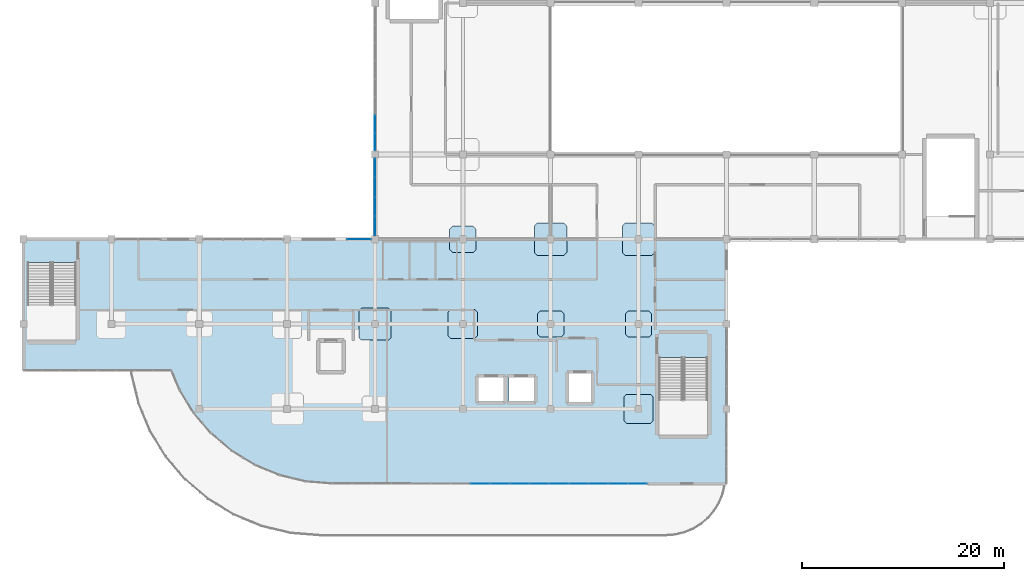
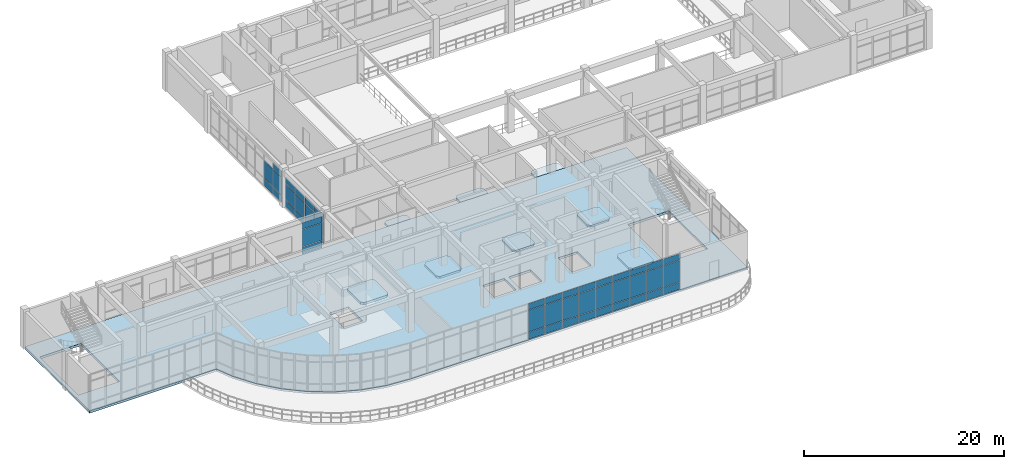
# One storey, part 48 of 64: 47 plates, 9 slabs, 6 elements without a shape of their own.
"""IFC4 building model written with IfcOpenShell, lengths in metres."""

from ifc_helpers import new_model, si_unit, derived_unit, direction, frame, origin, origin_2d, place, context, subcontext, project, spatial, polyline, rectangle, outline, extrude, material, layer, layer_set, type_object, element, aggregate, save


model = new_model("IFC4")

# Units and contexts
model_context = context("Model", 3, precision=1e-05, world=origin(), true_north=direction((0.0, 1.0)))
body_context = subcontext(model_context, "Body", "Model", "MODEL_VIEW")
ifc_project = project(units=[si_unit("LENGTHUNIT", "METRE"), si_unit("AREAUNIT", "SQUARE_METRE"), si_unit("VOLUMEUNIT", "CUBIC_METRE"), si_unit("PLANEANGLEUNIT", "RADIAN"), si_unit("MASSUNIT", "GRAM", prefix="KILO"), derived_unit("THERMALTRANSMITTANCEUNIT", [(si_unit("MASSUNIT", "GRAM", prefix="KILO"), 1), (si_unit("TIMEUNIT", "SECOND"), -3), (si_unit("THERMODYNAMICTEMPERATUREUNIT", "KELVIN"), -1)])], contexts=[model_context])

# Site, building, storey
site_placement = place(None, origin())
site = spatial("IfcSite", under=ifc_project, at=site_placement, CompositionType="ELEMENT")
building_placement = place(site_placement, origin())
building = spatial("IfcBuilding", under=site, at=building_placement, Name="Qinzheling Arcade Emporium", CompositionType="ELEMENT")
storey_placement = place(building_placement, frame((0.0, 0.0, 31.5)))
storey = spatial("IfcBuildingStorey", under=building, at=storey_placement, Name="L07", CompositionType="ELEMENT", Elevation=31.5)

# Slabs
ifc_material_1 = material(Name="Concrete C40", Category="concrete")
ifc_layer_1 = layer(ifc_material_1, 0.235107421875, Name="Concrete C40", Category="concrete")
ifc_layer_set_1 = layer_set([ifc_layer_1], Name="Concrete C40")
slab_type_1 = type_object("IfcSlabType", Name="Column Head Drop Panel 2600x2600x235 C40", PredefinedType="USERDEFINED", material=ifc_layer_set_1)
slab_1_placement = place(storey_placement, frame((0.0, 0.0, -0.514892578125)))
element("IfcSlab", 1, at=slab_1_placement, inside=storey, type_object=slab_type_1, Name="Column Drop Panel DP-L07-6-F", ObjectType="DROP_PANEL", PredefinedType="USERDEFINED", context=body_context, shape_type="SweptSolid", body=[
    extrude(outline(polyline([(42.47998046875, 40.699951171875), (44.52001953125, 40.699951171875), (44.800048828125, 40.97998046875), (44.800048828125, 43.02001953125), (44.52001953125, 43.300048828125), (42.47998046875, 43.300048828125), (42.199951171875, 43.02001953125), (42.199951171875, 40.97998046875), (42.47998046875, 40.699951171875)])), origin(), (0.0, 0.0, 1.0), 0.23486328125),
])
slab_2_placement = place(storey_placement, frame((0.0, 0.0, -0.514892578125)))
element("IfcSlab", 2, at=slab_2_placement, inside=storey, type_object=slab_type_1, Name="Column Drop Panel DP-L07-7-E", ObjectType="DROP_PANEL", PredefinedType="USERDEFINED", context=body_context, shape_type="SweptSolid", body=[
    extrude(outline(polyline([(51.179931640625, 32.300048828125), (53.219970703125, 32.300048828125), (53.5, 32.580078125), (53.5, 34.6201171875), (53.219970703125, 34.89990234375), (51.179931640625, 34.89990234375), (50.89990234375, 34.6201171875), (50.89990234375, 32.580078125), (51.179931640625, 32.300048828125)])), origin(), (0.0, 0.0, 1.0), 0.23486328125),
])
slab_3_placement = place(storey_placement, frame((0.0, 0.0, -0.514892578125)))
element("IfcSlab", 3, at=slab_3_placement, inside=storey, type_object=slab_type_1, Name="Column Drop Panel DP-L07-8-E", ObjectType="DROP_PANEL", PredefinedType="USERDEFINED", context=body_context, shape_type="SweptSolid", body=[
    extrude(outline(polyline([(59.8798828125, 32.300048828125), (61.919921875, 32.300048828125), (62.199951171875, 32.580078125), (62.199951171875, 34.6201171875), (61.919921875, 34.89990234375), (59.8798828125, 34.89990234375), (59.60009765625, 34.6201171875), (59.60009765625, 32.580078125), (59.8798828125, 32.300048828125)])), origin(), (0.0, 0.0, 1.0), 0.23486328125),
])
ifc_layer_2 = layer(ifc_material_1, 0.27001953125, Name="Concrete C40", Category="concrete")
ifc_layer_set_2 = layer_set([ifc_layer_2], Name="Concrete C40")
slab_type_2 = type_object("IfcSlabType", Name="Column Head Drop Panel 2900x2900x270 C40", PredefinedType="USERDEFINED", material=ifc_layer_set_2)
slab_4_placement = place(storey_placement, frame((0.0, 0.0, -0.550048828125)))
element("IfcSlab", 4, at=slab_4_placement, inside=storey, type_object=slab_type_2, Name="Column Drop Panel DP-L07-6-E", ObjectType="DROP_PANEL", PredefinedType="USERDEFINED", context=body_context, shape_type="SweptSolid", body=[
    extrude(outline(polyline([(42.330078125, 32.14990234375), (44.669921875, 32.14990234375), (44.949951171875, 32.429931640625), (44.949951171875, 34.77001953125), (44.669921875, 35.050048828125), (42.330078125, 35.050048828125), (42.050048828125, 34.77001953125), (42.050048828125, 32.429931640625), (42.330078125, 32.14990234375)])), origin(), (0.0, 0.0, 1.0), 0.27001953125),
])
slab_5_placement = place(storey_placement, frame((0.0, 0.0, -0.550048828125)))
element("IfcSlab", 5, at=slab_5_placement, inside=storey, type_object=slab_type_2, Name="Column Drop Panel DP-L07-8-D", ObjectType="DROP_PANEL", PredefinedType="USERDEFINED", context=body_context, shape_type="SweptSolid", body=[
    extrude(outline(polyline([(59.72998046875, 23.75), (62.070068359375, 23.75), (62.35009765625, 24.030029296875), (62.35009765625, 26.3701171875), (62.070068359375, 26.64990234375), (59.72998046875, 26.64990234375), (59.449951171875, 26.3701171875), (59.449951171875, 24.030029296875), (59.72998046875, 23.75)])), origin(), (0.0, 0.0, 1.0), 0.27001953125),
])
ifc_layer_3 = layer(ifc_material_1, 0.300048828125, Name="Concrete C40", Category="concrete")
ifc_layer_set_3 = layer_set([ifc_layer_3], Name="Concrete C40")
slab_type_3 = type_object("IfcSlabType", Name="Column Head Drop Panel 3200x3200x300 C40", PredefinedType="USERDEFINED", material=ifc_layer_set_3)
slab_6_placement = place(storey_placement, frame((0.0, 0.0, -0.580078125)))
element("IfcSlab", 6, at=slab_6_placement, inside=storey, type_object=slab_type_3, Name="Column Drop Panel DP-L07-5-E", ObjectType="DROP_PANEL", PredefinedType="USERDEFINED", context=body_context, shape_type="SweptSolid", body=[
    extrude(outline(polyline([(33.47998046875, 32.0), (36.1201171875, 32.0), (36.39990234375, 32.280029296875), (36.39990234375, 34.919921875), (36.1201171875, 35.199951171875), (33.47998046875, 35.199951171875), (33.199951171875, 34.919921875), (33.199951171875, 32.280029296875), (33.47998046875, 32.0)])), origin(), (0.0, 0.0, 1.0), 0.300048828125),
])
slab_7_placement = place(storey_placement, frame((0.0, 0.0, -0.580078125)))
element("IfcSlab", 7, at=slab_7_placement, inside=storey, type_object=slab_type_3, Name="Column Drop Panel DP-L07-7-F", ObjectType="DROP_PANEL", PredefinedType="USERDEFINED", context=body_context, shape_type="SweptSolid", body=[
    extrude(outline(polyline([(50.8798828125, 40.39990234375), (53.52001953125, 40.39990234375), (53.800048828125, 40.679931640625), (53.800048828125, 43.320068359375), (53.52001953125, 43.60009765625), (50.8798828125, 43.60009765625), (50.60009765625, 43.320068359375), (50.60009765625, 40.679931640625), (50.8798828125, 40.39990234375)])), origin(), (0.0, 0.0, 1.0), 0.300048828125),
])
slab_8_placement = place(storey_placement, frame((0.0, 0.0, -0.580078125)))
element("IfcSlab", 8, at=slab_8_placement, inside=storey, type_object=slab_type_3, Name="Column Drop Panel DP-L07-8-F", ObjectType="DROP_PANEL", PredefinedType="USERDEFINED", context=body_context, shape_type="SweptSolid", body=[
    extrude(outline(polyline([(59.580078125, 40.39990234375), (62.219970703125, 40.39990234375), (62.5, 40.679931640625), (62.5, 43.320068359375), (62.219970703125, 43.60009765625), (59.580078125, 43.60009765625), (59.300048828125, 43.320068359375), (59.300048828125, 40.679931640625), (59.580078125, 40.39990234375)])), origin(), (0.0, 0.0, 1.0), 0.300048828125),
])

# Curtain wall, plates
ifc_material_2 = material(Name="Anodised aluminium and solar-control double glazing", Category="aluminium")
ifc_layer_4 = layer(ifc_material_2, 0.159912109375, Name="Anodised aluminium and solar-control double glazing", Category="aluminium")
ifc_layer_set_4 = layer_set([ifc_layer_4], Name="Anodised aluminium and solar-control double glazing")
curtain_wall_type_1 = type_object("IfcCurtainWallType", Name="Arcade Portal Glazed Curtain Wall", PredefinedType="NOTDEFINED", material=ifc_layer_set_4)
curtain_wall_1_placement = place(storey_placement, origin())
curtain_wall_1 = element("IfcCurtainWall", 9, at=curtain_wall_1_placement, inside=storey, type_object=curtain_wall_type_1, Name="Curtain Wall CW-L07-397", PredefinedType="NOTDEFINED")
ifc_material_3 = material(Name="Laminated solar-control double glazing", Category="glass")
ifc_layer_5 = layer(ifc_material_3, 0.02490234375, Name="Laminated solar-control double glazing", Category="glass")
ifc_layer_set_5 = layer_set([ifc_layer_5], Name="Laminated solar-control double glazing")
plate_type_1 = type_object("IfcPlateType", Name="Low-E Double Glazed Curtain Panel 25mm", PredefinedType="CURTAIN_PANEL", material=ifc_layer_set_5)
plate_1_placement = place(storey_placement, frame((60.80859375, 17.800048828125, 0.06005859375), z_axis=(0.0, 0.0, 1.0), x_axis=(-1.0, 0.0, 0.0)))
plate_1 = element("IfcPlate", 10, at=plate_1_placement, type_object=plate_type_1, Name="CW05 panel 1.1", PredefinedType="CURTAIN_PANEL", context=body_context, shape_type="SweptSolid", body=[
    extrude(rectangle(XDim=1.85888671875, YDim=0.02490234375, at=origin_2d()), origin(), (0.0, 0.0, 1.0), 0.860107421875),
])
plate_2_placement = place(storey_placement, frame((60.80859375, 17.800048828125, 0.97998046875), z_axis=(0.0, 0.0, 1.0), x_axis=(-1.0, 0.0, 0.0)))
plate_2 = element("IfcPlate", 11, at=plate_2_placement, type_object=plate_type_1, Name="CW05 panel 1.2", PredefinedType="CURTAIN_PANEL", context=body_context, shape_type="SweptSolid", body=[
    extrude(rectangle(XDim=1.85888671875, YDim=0.02490234375, at=origin_2d()), origin(), (0.0, 0.0, 1.0), 2.6298828125),
])
plate_3_placement = place(storey_placement, frame((60.80859375, 17.800048828125, 3.669921875), z_axis=(0.0, 0.0, 1.0), x_axis=(-1.0, 0.0, 0.0)))
plate_3 = element("IfcPlate", 12, at=plate_3_placement, type_object=plate_type_1, Name="CW05 panel 1.3", PredefinedType="CURTAIN_PANEL", context=body_context, shape_type="SweptSolid", body=[
    extrude(rectangle(XDim=1.85888671875, YDim=0.02490234375, at=origin_2d()), origin(), (0.0, 0.0, 1.0), 0.760009765625),
])
plate_4_placement = place(storey_placement, frame((58.87451171875, 17.800048828125, 0.06005859375), z_axis=(0.0, 0.0, 1.0), x_axis=(-1.0, 0.0, 0.0)))
plate_4 = element("IfcPlate", 13, at=plate_4_placement, type_object=plate_type_1, Name="CW05 panel 2.1", PredefinedType="CURTAIN_PANEL", context=body_context, shape_type="SweptSolid", body=[
    extrude(rectangle(XDim=1.888916015625, YDim=0.02490234375, at=origin_2d()), origin(), (0.0, 0.0, 1.0), 0.860107421875),
])
plate_5_placement = place(storey_placement, frame((58.87451171875, 17.800048828125, 0.97998046875), z_axis=(0.0, 0.0, 1.0), x_axis=(-1.0, 0.0, 0.0)))
plate_5 = element("IfcPlate", 14, at=plate_5_placement, type_object=plate_type_1, Name="CW05 panel 2.2", PredefinedType="CURTAIN_PANEL", context=body_context, shape_type="SweptSolid", body=[
    extrude(rectangle(XDim=1.888916015625, YDim=0.02490234375, at=origin_2d()), origin(), (0.0, 0.0, 1.0), 2.6298828125),
])
plate_6_placement = place(storey_placement, frame((58.87451171875, 17.800048828125, 3.669921875), z_axis=(0.0, 0.0, 1.0), x_axis=(-1.0, 0.0, 0.0)))
plate_6 = element("IfcPlate", 15, at=plate_6_placement, type_object=plate_type_1, Name="CW05 panel 2.3", PredefinedType="CURTAIN_PANEL", context=body_context, shape_type="SweptSolid", body=[
    extrude(rectangle(XDim=1.888916015625, YDim=0.02490234375, at=origin_2d()), origin(), (0.0, 0.0, 1.0), 0.760009765625),
])
plate_7_placement = place(storey_placement, frame((56.925537109375, 17.800048828125, 0.06005859375), z_axis=(0.0, 0.0, 1.0), x_axis=(-1.0, 0.0, 0.0)))
plate_7 = element("IfcPlate", 16, at=plate_7_placement, type_object=plate_type_1, Name="CW05 panel 3.1", PredefinedType="CURTAIN_PANEL", context=body_context, shape_type="SweptSolid", body=[
    extrude(rectangle(XDim=1.888916015625, YDim=0.02490234375, at=origin_2d()), origin(), (0.0, 0.0, 1.0), 0.860107421875),
])
plate_8_placement = place(storey_placement, frame((56.925537109375, 17.800048828125, 0.97998046875), z_axis=(0.0, 0.0, 1.0), x_axis=(-1.0, 0.0, 0.0)))
plate_8 = element("IfcPlate", 17, at=plate_8_placement, type_object=plate_type_1, Name="CW05 panel 3.2", PredefinedType="CURTAIN_PANEL", context=body_context, shape_type="SweptSolid", body=[
    extrude(rectangle(XDim=1.888916015625, YDim=0.02490234375, at=origin_2d()), origin(), (0.0, 0.0, 1.0), 2.6298828125),
])
plate_9_placement = place(storey_placement, frame((56.925537109375, 17.800048828125, 3.669921875), z_axis=(0.0, 0.0, 1.0), x_axis=(-1.0, 0.0, 0.0)))
plate_9 = element("IfcPlate", 18, at=plate_9_placement, type_object=plate_type_1, Name="CW05 panel 3.3", PredefinedType="CURTAIN_PANEL", context=body_context, shape_type="SweptSolid", body=[
    extrude(rectangle(XDim=1.888916015625, YDim=0.02490234375, at=origin_2d()), origin(), (0.0, 0.0, 1.0), 0.760009765625),
])
plate_10_placement = place(storey_placement, frame((54.991455078125, 17.800048828125, 0.06005859375), z_axis=(0.0, 0.0, 1.0), x_axis=(-1.0, 0.0, 0.0)))
plate_10 = element("IfcPlate", 19, at=plate_10_placement, type_object=plate_type_1, Name="CW05 panel 4.1", PredefinedType="CURTAIN_PANEL", context=body_context, shape_type="SweptSolid", body=[
    extrude(rectangle(XDim=1.85888671875, YDim=0.02490234375, at=origin_2d()), origin(), (0.0, 0.0, 1.0), 0.860107421875),
])
plate_11_placement = place(storey_placement, frame((54.991455078125, 17.800048828125, 0.97998046875), z_axis=(0.0, 0.0, 1.0), x_axis=(-1.0, 0.0, 0.0)))
plate_11 = element("IfcPlate", 20, at=plate_11_placement, type_object=plate_type_1, Name="CW05 panel 4.2", PredefinedType="CURTAIN_PANEL", context=body_context, shape_type="SweptSolid", body=[
    extrude(rectangle(XDim=1.85888671875, YDim=0.02490234375, at=origin_2d()), origin(), (0.0, 0.0, 1.0), 2.6298828125),
])
plate_12_placement = place(storey_placement, frame((54.991455078125, 17.800048828125, 3.669921875), z_axis=(0.0, 0.0, 1.0), x_axis=(-1.0, 0.0, 0.0)))
plate_12 = element("IfcPlate", 21, at=plate_12_placement, type_object=plate_type_1, Name="CW05 panel 4.3", PredefinedType="CURTAIN_PANEL", context=body_context, shape_type="SweptSolid", body=[
    extrude(rectangle(XDim=1.85888671875, YDim=0.02490234375, at=origin_2d()), origin(), (0.0, 0.0, 1.0), 0.760009765625),
])
aggregate(curtain_wall_1, [plate_1, plate_2, plate_3, plate_4, plate_5, plate_6, plate_7, plate_8, plate_9, plate_10, plate_11, plate_12])

ifc_layer_6 = layer(ifc_material_2, 0.159912109375, Name="Anodised aluminium and solar-control double glazing", Category="aluminium")
ifc_layer_set_6 = layer_set([ifc_layer_6], Name="Anodised aluminium and solar-control double glazing")
curtain_wall_type_2 = type_object("IfcCurtainWallType", Name="Atrium Clerestory Curtain Wall", PredefinedType="NOTDEFINED", material=ifc_layer_set_6)
curtain_wall_2_placement = place(storey_placement, origin())
curtain_wall_2 = element("IfcCurtainWall", 22, at=curtain_wall_2_placement, inside=storey, type_object=curtain_wall_type_2, Name="Curtain Wall CW-L07-413", PredefinedType="NOTDEFINED")
plate_13_placement = place(storey_placement, frame((33.22412109375, 42.0, 0.06005859375), z_axis=(0.0, 0.0, 1.0), x_axis=(1.0, 0.0, 0.0)))
plate_13 = element("IfcPlate", 23, at=plate_13_placement, type_object=plate_type_1, Name="CW03 panel 1.1", PredefinedType="CURTAIN_PANEL", context=body_context, shape_type="SweptSolid", body=[
    extrude(rectangle(XDim=2.327880859375, YDim=0.02490234375, at=origin_2d()), origin(), (0.0, 0.0, 1.0), 0.860107421875),
])
plate_14_placement = place(storey_placement, frame((33.22412109375, 42.0, 0.97998046875), z_axis=(0.0, 0.0, 1.0), x_axis=(1.0, 0.0, 0.0)))
plate_14 = element("IfcPlate", 24, at=plate_14_placement, type_object=plate_type_1, Name="CW03 panel 1.2", PredefinedType="CURTAIN_PANEL", context=body_context, shape_type="SweptSolid", body=[
    extrude(rectangle(XDim=2.327880859375, YDim=0.02490234375, at=origin_2d()), origin(), (0.0, 0.0, 1.0), 2.094970703125),
])
plate_15_placement = place(storey_placement, frame((33.22412109375, 42.0, 3.134765625), z_axis=(0.0, 0.0, 1.0), x_axis=(1.0, 0.0, 0.0)))
plate_15 = element("IfcPlate", 25, at=plate_15_placement, type_object=plate_type_1, Name="CW03 panel 1.3", PredefinedType="CURTAIN_PANEL", context=body_context, shape_type="SweptSolid", body=[
    extrude(rectangle(XDim=2.327880859375, YDim=0.02490234375, at=origin_2d()), origin(), (0.0, 0.0, 1.0), 0.760009765625),
])
aggregate(curtain_wall_2, [plate_13, plate_14, plate_15])

curtain_wall_3_placement = place(storey_placement, origin())
curtain_wall_3 = element("IfcCurtainWall", 26, at=curtain_wall_3_placement, inside=storey, type_object=curtain_wall_type_1, Name="Curtain Wall CW-L07-398", PredefinedType="NOTDEFINED")
ifc_layer_7 = layer(ifc_material_3, 0.02587890625, Name="Laminated solar-control double glazing", Category="glass")
ifc_layer_set_7 = layer_set([ifc_layer_7], Name="Laminated solar-control double glazing")
plate_type_2 = type_object("IfcPlateType", Name="Low-E Double Glazed Curtain Panel 26mm", PredefinedType="CURTAIN_PANEL", material=ifc_layer_set_7)
plate_16_placement = place(storey_placement, frame((53.008544921875, 17.800048828125, 0.06005859375), z_axis=(0.0, 0.0, 1.0), x_axis=(-1.0, 0.0, 0.0)))
plate_16 = element("IfcPlate", 27, at=plate_16_placement, type_object=plate_type_2, Name="CW05 panel 1.1", PredefinedType="CURTAIN_PANEL", context=body_context, shape_type="SweptSolid", body=[
    extrude(rectangle(XDim=1.85888671875, YDim=0.02587890625, at=origin_2d()), origin(), (0.0, 0.0, 1.0), 0.860107421875),
])
plate_17_placement = place(storey_placement, frame((53.008544921875, 17.800048828125, 0.97998046875), z_axis=(0.0, 0.0, 1.0), x_axis=(-1.0, 0.0, 0.0)))
plate_17 = element("IfcPlate", 28, at=plate_17_placement, type_object=plate_type_2, Name="CW05 panel 1.2", PredefinedType="CURTAIN_PANEL", context=body_context, shape_type="SweptSolid", body=[
    extrude(rectangle(XDim=1.85888671875, YDim=0.02587890625, at=origin_2d()), origin(), (0.0, 0.0, 1.0), 2.6298828125),
])
plate_18_placement = place(storey_placement, frame((53.008544921875, 17.800048828125, 3.669921875), z_axis=(0.0, 0.0, 1.0), x_axis=(-1.0, 0.0, 0.0)))
plate_18 = element("IfcPlate", 29, at=plate_18_placement, type_object=plate_type_2, Name="CW05 panel 1.3", PredefinedType="CURTAIN_PANEL", context=body_context, shape_type="SweptSolid", body=[
    extrude(rectangle(XDim=1.85888671875, YDim=0.02587890625, at=origin_2d()), origin(), (0.0, 0.0, 1.0), 0.760009765625),
])
plate_19_placement = place(storey_placement, frame((51.074462890625, 17.800048828125, 0.06005859375), z_axis=(0.0, 0.0, 1.0), x_axis=(-1.0, 0.0, 0.0)))
plate_19 = element("IfcPlate", 30, at=plate_19_placement, type_object=plate_type_2, Name="CW05 panel 2.1", PredefinedType="CURTAIN_PANEL", context=body_context, shape_type="SweptSolid", body=[
    extrude(rectangle(XDim=1.888916015625, YDim=0.02587890625, at=origin_2d()), origin(), (0.0, 0.0, 1.0), 0.860107421875),
])
plate_20_placement = place(storey_placement, frame((51.074462890625, 17.800048828125, 0.97998046875), z_axis=(0.0, 0.0, 1.0), x_axis=(-1.0, 0.0, 0.0)))
plate_20 = element("IfcPlate", 31, at=plate_20_placement, type_object=plate_type_2, Name="CW05 panel 2.2", PredefinedType="CURTAIN_PANEL", context=body_context, shape_type="SweptSolid", body=[
    extrude(rectangle(XDim=1.888916015625, YDim=0.02587890625, at=origin_2d()), origin(), (0.0, 0.0, 1.0), 2.6298828125),
])
plate_21_placement = place(storey_placement, frame((51.074462890625, 17.800048828125, 3.669921875), z_axis=(0.0, 0.0, 1.0), x_axis=(-1.0, 0.0, 0.0)))
plate_21 = element("IfcPlate", 32, at=plate_21_placement, type_object=plate_type_2, Name="CW05 panel 2.3", PredefinedType="CURTAIN_PANEL", context=body_context, shape_type="SweptSolid", body=[
    extrude(rectangle(XDim=1.888916015625, YDim=0.02587890625, at=origin_2d()), origin(), (0.0, 0.0, 1.0), 0.760009765625),
])
plate_22_placement = place(storey_placement, frame((49.12548828125, 17.800048828125, 0.06005859375), z_axis=(0.0, 0.0, 1.0), x_axis=(-1.0, 0.0, 0.0)))
plate_22 = element("IfcPlate", 33, at=plate_22_placement, type_object=plate_type_2, Name="CW05 panel 3.1", PredefinedType="CURTAIN_PANEL", context=body_context, shape_type="SweptSolid", body=[
    extrude(rectangle(XDim=1.888916015625, YDim=0.02587890625, at=origin_2d()), origin(), (0.0, 0.0, 1.0), 0.860107421875),
])
plate_23_placement = place(storey_placement, frame((49.12548828125, 17.800048828125, 0.97998046875), z_axis=(0.0, 0.0, 1.0), x_axis=(-1.0, 0.0, 0.0)))
plate_23 = element("IfcPlate", 34, at=plate_23_placement, type_object=plate_type_2, Name="CW05 panel 3.2", PredefinedType="CURTAIN_PANEL", context=body_context, shape_type="SweptSolid", body=[
    extrude(rectangle(XDim=1.888916015625, YDim=0.02587890625, at=origin_2d()), origin(), (0.0, 0.0, 1.0), 2.6298828125),
])
plate_24_placement = place(storey_placement, frame((49.12548828125, 17.800048828125, 3.669921875), z_axis=(0.0, 0.0, 1.0), x_axis=(-1.0, 0.0, 0.0)))
plate_24 = element("IfcPlate", 35, at=plate_24_placement, type_object=plate_type_2, Name="CW05 panel 3.3", PredefinedType="CURTAIN_PANEL", context=body_context, shape_type="SweptSolid", body=[
    extrude(rectangle(XDim=1.888916015625, YDim=0.02587890625, at=origin_2d()), origin(), (0.0, 0.0, 1.0), 0.760009765625),
])
plate_25_placement = place(storey_placement, frame((47.19140625, 17.800048828125, 0.06005859375), z_axis=(0.0, 0.0, 1.0), x_axis=(-1.0, 0.0, 0.0)))
plate_25 = element("IfcPlate", 36, at=plate_25_placement, type_object=plate_type_2, Name="CW05 panel 4.1", PredefinedType="CURTAIN_PANEL", context=body_context, shape_type="SweptSolid", body=[
    extrude(rectangle(XDim=1.85888671875, YDim=0.02587890625, at=origin_2d()), origin(), (0.0, 0.0, 1.0), 0.860107421875),
])
plate_26_placement = place(storey_placement, frame((47.19140625, 17.800048828125, 0.97998046875), z_axis=(0.0, 0.0, 1.0), x_axis=(-1.0, 0.0, 0.0)))
plate_26 = element("IfcPlate", 37, at=plate_26_placement, type_object=plate_type_2, Name="CW05 panel 4.2", PredefinedType="CURTAIN_PANEL", context=body_context, shape_type="SweptSolid", body=[
    extrude(rectangle(XDim=1.85888671875, YDim=0.02587890625, at=origin_2d()), origin(), (0.0, 0.0, 1.0), 2.6298828125),
])
plate_27_placement = place(storey_placement, frame((47.19140625, 17.800048828125, 3.669921875), z_axis=(0.0, 0.0, 1.0), x_axis=(-1.0, 0.0, 0.0)))
plate_27 = element("IfcPlate", 38, at=plate_27_placement, type_object=plate_type_2, Name="CW05 panel 4.3", PredefinedType="CURTAIN_PANEL", context=body_context, shape_type="SweptSolid", body=[
    extrude(rectangle(XDim=1.85888671875, YDim=0.02587890625, at=origin_2d()), origin(), (0.0, 0.0, 1.0), 0.760009765625),
])
aggregate(curtain_wall_3, [plate_16, plate_17, plate_18, plate_19, plate_20, plate_21, plate_22, plate_23, plate_24, plate_25, plate_26, plate_27])

curtain_wall_4_placement = place(storey_placement, origin())
curtain_wall_4 = element("IfcCurtainWall", 39, at=curtain_wall_4_placement, inside=storey, type_object=curtain_wall_type_2, Name="Curtain Wall CW-L07-414", PredefinedType="NOTDEFINED")
plate_28_placement = place(storey_placement, frame((34.800048828125, 43.3291015625, 0.06005859375), z_axis=(0.0, 0.0, 1.0), x_axis=(0.0, 1.0, 0.0)))
plate_28 = element("IfcPlate", 40, at=plate_28_placement, type_object=plate_type_2, Name="CW03 panel 1.1", PredefinedType="CURTAIN_PANEL", context=body_context, shape_type="SweptSolid", body=[
    extrude(rectangle(XDim=1.833984375, YDim=0.02587890625, at=origin_2d()), origin(), (0.0, 0.0, 1.0), 0.860107421875),
])
plate_29_placement = place(storey_placement, frame((34.800048828125, 43.3291015625, 0.97998046875), z_axis=(0.0, 0.0, 1.0), x_axis=(0.0, 1.0, 0.0)))
plate_29 = element("IfcPlate", 41, at=plate_29_placement, type_object=plate_type_2, Name="CW03 panel 1.2", PredefinedType="CURTAIN_PANEL", context=body_context, shape_type="SweptSolid", body=[
    extrude(rectangle(XDim=1.833984375, YDim=0.02587890625, at=origin_2d()), origin(), (0.0, 0.0, 1.0), 1.89501953125),
])
plate_30_placement = place(storey_placement, frame((34.800048828125, 43.3291015625, 2.93505859375), z_axis=(0.0, 0.0, 1.0), x_axis=(0.0, 1.0, 0.0)))
plate_30 = element("IfcPlate", 42, at=plate_30_placement, type_object=plate_type_2, Name="CW03 panel 1.3", PredefinedType="CURTAIN_PANEL", context=body_context, shape_type="SweptSolid", body=[
    extrude(rectangle(XDim=1.833984375, YDim=0.02587890625, at=origin_2d()), origin(), (0.0, 0.0, 1.0), 0.760009765625),
])
plate_31_placement = place(storey_placement, frame((34.800048828125, 45.238037109375, 0.06005859375), z_axis=(0.0, 0.0, 1.0), x_axis=(0.0, 1.0, 0.0)))
plate_31 = element("IfcPlate", 43, at=plate_31_placement, type_object=plate_type_2, Name="CW03 panel 2.1", PredefinedType="CURTAIN_PANEL", context=body_context, shape_type="SweptSolid", body=[
    extrude(rectangle(XDim=1.864013671875, YDim=0.02587890625, at=origin_2d()), origin(), (0.0, 0.0, 1.0), 0.860107421875),
])
plate_32_placement = place(storey_placement, frame((34.800048828125, 45.238037109375, 0.97998046875), z_axis=(0.0, 0.0, 1.0), x_axis=(0.0, 1.0, 0.0)))
plate_32 = element("IfcPlate", 44, at=plate_32_placement, type_object=plate_type_2, Name="CW03 panel 2.2", PredefinedType="CURTAIN_PANEL", context=body_context, shape_type="SweptSolid", body=[
    extrude(rectangle(XDim=1.864013671875, YDim=0.02587890625, at=origin_2d()), origin(), (0.0, 0.0, 1.0), 1.89501953125),
])
plate_33_placement = place(storey_placement, frame((34.800048828125, 45.238037109375, 2.93505859375), z_axis=(0.0, 0.0, 1.0), x_axis=(0.0, 1.0, 0.0)))
plate_33 = element("IfcPlate", 45, at=plate_33_placement, type_object=plate_type_2, Name="CW03 panel 2.3", PredefinedType="CURTAIN_PANEL", context=body_context, shape_type="SweptSolid", body=[
    extrude(rectangle(XDim=1.864013671875, YDim=0.02587890625, at=origin_2d()), origin(), (0.0, 0.0, 1.0), 0.760009765625),
])
plate_34_placement = place(storey_placement, frame((34.800048828125, 47.162109375, 0.06005859375), z_axis=(0.0, 0.0, 1.0), x_axis=(0.0, 1.0, 0.0)))
plate_34 = element("IfcPlate", 46, at=plate_34_placement, type_object=plate_type_2, Name="CW03 panel 3.1", PredefinedType="CURTAIN_PANEL", context=body_context, shape_type="SweptSolid", body=[
    extrude(rectangle(XDim=1.864013671875, YDim=0.02587890625, at=origin_2d()), origin(), (0.0, 0.0, 1.0), 0.860107421875),
])
plate_35_placement = place(storey_placement, frame((34.800048828125, 47.162109375, 0.97998046875), z_axis=(0.0, 0.0, 1.0), x_axis=(0.0, 1.0, 0.0)))
plate_35 = element("IfcPlate", 47, at=plate_35_placement, type_object=plate_type_2, Name="CW03 panel 3.2", PredefinedType="CURTAIN_PANEL", context=body_context, shape_type="SweptSolid", body=[
    extrude(rectangle(XDim=1.864013671875, YDim=0.02587890625, at=origin_2d()), origin(), (0.0, 0.0, 1.0), 1.89501953125),
])
plate_36_placement = place(storey_placement, frame((34.800048828125, 47.162109375, 2.93505859375), z_axis=(0.0, 0.0, 1.0), x_axis=(0.0, 1.0, 0.0)))
plate_36 = element("IfcPlate", 48, at=plate_36_placement, type_object=plate_type_2, Name="CW03 panel 3.3", PredefinedType="CURTAIN_PANEL", context=body_context, shape_type="SweptSolid", body=[
    extrude(rectangle(XDim=1.864013671875, YDim=0.02587890625, at=origin_2d()), origin(), (0.0, 0.0, 1.0), 0.760009765625),
])
plate_37_placement = place(storey_placement, frame((34.800048828125, 49.071044921875, 0.06005859375), z_axis=(0.0, 0.0, 1.0), x_axis=(0.0, 1.0, 0.0)))
plate_37 = element("IfcPlate", 49, at=plate_37_placement, type_object=plate_type_2, Name="CW03 panel 4.1", PredefinedType="CURTAIN_PANEL", context=body_context, shape_type="SweptSolid", body=[
    extrude(rectangle(XDim=1.833984375, YDim=0.02587890625, at=origin_2d()), origin(), (0.0, 0.0, 1.0), 0.860107421875),
])
plate_38_placement = place(storey_placement, frame((34.800048828125, 49.071044921875, 0.97998046875), z_axis=(0.0, 0.0, 1.0), x_axis=(0.0, 1.0, 0.0)))
plate_38 = element("IfcPlate", 50, at=plate_38_placement, type_object=plate_type_2, Name="CW03 panel 4.2", PredefinedType="CURTAIN_PANEL", context=body_context, shape_type="SweptSolid", body=[
    extrude(rectangle(XDim=1.833984375, YDim=0.02587890625, at=origin_2d()), origin(), (0.0, 0.0, 1.0), 1.89501953125),
])
plate_39_placement = place(storey_placement, frame((34.800048828125, 49.071044921875, 2.93505859375), z_axis=(0.0, 0.0, 1.0), x_axis=(0.0, 1.0, 0.0)))
plate_39 = element("IfcPlate", 51, at=plate_39_placement, type_object=plate_type_2, Name="CW03 panel 4.3", PredefinedType="CURTAIN_PANEL", context=body_context, shape_type="SweptSolid", body=[
    extrude(rectangle(XDim=1.833984375, YDim=0.02587890625, at=origin_2d()), origin(), (0.0, 0.0, 1.0), 0.760009765625),
])
aggregate(curtain_wall_4, [plate_28, plate_29, plate_30, plate_31, plate_32, plate_33, plate_34, plate_35, plate_36, plate_37, plate_38, plate_39])

curtain_wall_5_placement = place(storey_placement, origin())
curtain_wall_5 = element("IfcCurtainWall", 52, at=curtain_wall_5_placement, inside=storey, type_object=curtain_wall_type_1, Name="Curtain Wall CW-L07-399", PredefinedType="NOTDEFINED")
ifc_layer_8 = layer(ifc_material_3, 0.027099609375, Name="Laminated solar-control double glazing", Category="glass")
ifc_layer_set_8 = layer_set([ifc_layer_8], Name="Laminated solar-control double glazing")
plate_type_3 = type_object("IfcPlateType", Name="Low-E Double Glazed Curtain Panel 27mm", PredefinedType="CURTAIN_PANEL", material=ifc_layer_set_8)
plate_40_placement = place(storey_placement, frame((45.20849609375, 17.800048828125, 0.06005859375), z_axis=(0.0, 0.0, 1.0), x_axis=(-1.0, 0.0, 0.0)))
plate_40 = element("IfcPlate", 53, at=plate_40_placement, type_object=plate_type_3, Name="CW05 panel 1.1", PredefinedType="CURTAIN_PANEL", context=body_context, shape_type="SweptSolid", body=[
    extrude(rectangle(XDim=1.85888671875, YDim=0.027099609375, at=origin_2d()), origin(), (0.0, 0.0, 1.0), 0.860107421875),
])
plate_41_placement = place(storey_placement, frame((45.20849609375, 17.800048828125, 0.97998046875), z_axis=(0.0, 0.0, 1.0), x_axis=(-1.0, 0.0, 0.0)))
plate_41 = element("IfcPlate", 54, at=plate_41_placement, type_object=plate_type_3, Name="CW05 panel 1.2", PredefinedType="CURTAIN_PANEL", context=body_context, shape_type="SweptSolid", body=[
    extrude(rectangle(XDim=1.85888671875, YDim=0.027099609375, at=origin_2d()), origin(), (0.0, 0.0, 1.0), 2.6298828125),
])
plate_42_placement = place(storey_placement, frame((45.20849609375, 17.800048828125, 3.669921875), z_axis=(0.0, 0.0, 1.0), x_axis=(-1.0, 0.0, 0.0)))
plate_42 = element("IfcPlate", 55, at=plate_42_placement, type_object=plate_type_3, Name="CW05 panel 1.3", PredefinedType="CURTAIN_PANEL", context=body_context, shape_type="SweptSolid", body=[
    extrude(rectangle(XDim=1.85888671875, YDim=0.027099609375, at=origin_2d()), origin(), (0.0, 0.0, 1.0), 0.760009765625),
])
aggregate(curtain_wall_5, [plate_40, plate_41, plate_42])

curtain_wall_6_placement = place(storey_placement, origin())
curtain_wall_6 = element("IfcCurtainWall", 56, at=curtain_wall_6_placement, inside=storey, type_object=curtain_wall_type_2, Name="Curtain Wall CW-L07-415", PredefinedType="NOTDEFINED")
plate_43_placement = place(storey_placement, frame((34.800048828125, 51.66015625, 0.06005859375), z_axis=(0.0, 0.0, 1.0), x_axis=(0.0, 1.0, 0.0)))
plate_43 = element("IfcPlate", 57, at=plate_43_placement, type_object=plate_type_3, Name="CW03 panel 1.1", PredefinedType="CURTAIN_PANEL", context=body_context, shape_type="SweptSolid", body=[
    extrude(rectangle(XDim=1.696533203125, YDim=0.027099609375, at=origin_2d()), origin(), (0.0, 0.0, 1.0), 0.860107421875),
])
plate_44_placement = place(storey_placement, frame((34.800048828125, 51.66015625, 0.97998046875), z_axis=(0.0, 0.0, 1.0), x_axis=(0.0, 1.0, 0.0)))
plate_44 = element("IfcPlate", 58, at=plate_44_placement, type_object=plate_type_3, Name="CW03 panel 1.2", PredefinedType="CURTAIN_PANEL", context=body_context, shape_type="SweptSolid", body=[
    extrude(rectangle(XDim=1.696533203125, YDim=0.027099609375, at=origin_2d()), origin(), (0.0, 0.0, 1.0), 2.156982421875),
])
plate_45_placement = place(storey_placement, frame((34.800048828125, 51.66015625, 3.19677734375), z_axis=(0.0, 0.0, 1.0), x_axis=(0.0, 1.0, 0.0)))
plate_45 = element("IfcPlate", 59, at=plate_45_placement, type_object=plate_type_3, Name="CW03 panel 1.3", PredefinedType="CURTAIN_PANEL", context=body_context, shape_type="SweptSolid", body=[
    extrude(rectangle(XDim=1.696533203125, YDim=0.027099609375, at=origin_2d()), origin(), (0.0, 0.0, 1.0), 0.760009765625),
])
plate_46_placement = place(storey_placement, frame((34.800048828125, 53.431640625, 0.06005859375), z_axis=(0.0, 0.0, 1.0), x_axis=(0.0, 1.0, 0.0)))
plate_46 = element("IfcPlate", 60, at=plate_46_placement, type_object=plate_type_3, Name="CW03 panel 2.1", PredefinedType="CURTAIN_PANEL", context=body_context, shape_type="SweptSolid", body=[
    extrude(rectangle(XDim=1.7265625, YDim=0.027099609375, at=origin_2d()), origin(), (0.0, 0.0, 1.0), 0.860107421875),
])
plate_47_placement = place(storey_placement, frame((34.800048828125, 53.431640625, 0.97998046875), z_axis=(0.0, 0.0, 1.0), x_axis=(0.0, 1.0, 0.0)))
plate_47 = element("IfcPlate", 61, at=plate_47_placement, type_object=plate_type_3, Name="CW03 panel 2.2", PredefinedType="CURTAIN_PANEL", context=body_context, shape_type="SweptSolid", body=[
    extrude(rectangle(XDim=1.7265625, YDim=0.027099609375, at=origin_2d()), origin(), (0.0, 0.0, 1.0), 2.156982421875),
])
aggregate(curtain_wall_6, [plate_43, plate_44, plate_45, plate_46, plate_47])

# Slab
ifc_layer_9 = layer(ifc_material_1, 0.280029296875, Name="Concrete C40", Category="concrete")
ifc_layer_set_9 = layer_set([ifc_layer_9], Name="Concrete C40")
slab_type_4 = type_object("IfcSlabType", Name="Retail Two-Way Flat Slab 280 C40", PredefinedType="FLOOR", material=ifc_layer_set_9)
slab_9_placement = place(storey_placement, frame((0.0, 0.0, -0.280029296875)))
element("IfcSlab", 62, at=slab_9_placement, inside=storey, type_object=slab_type_4, Name="Floor Slab SLB-L07-V1", PredefinedType="FLOOR", context=body_context, shape_type="SweptSolid", body=[
    extrude(outline(polyline([(32.0, 42.0), (13.60009765625, 42.0), (0.0, 42.0), (0.0, 29.0), (14.658935546875, 29.0), (15.452880859375, 27.08203125), (16.846923828125, 24.80810546875), (18.5791015625, 22.779052734375), (20.60791015625, 21.047119140625), (22.882080078125, 19.653076171875), (25.346923828125, 18.632080078125), (27.94091796875, 18.009033203125), (30.60009765625, 17.800048828125), (69.60009765625, 17.800048828125), (69.60009765625, 42.0), (32.0, 42.0)]), holes=[polyline([(67.739990234375, 30.27490234375), (67.739990234375, 22.60009765625), (62.949951171875, 22.60009765625), (62.949951171875, 30.27490234375), (67.739990234375, 30.27490234375)]), polyline([(56.199951171875, 25.89990234375), (54.0, 25.89990234375), (54.0, 28.699951171875), (56.199951171875, 28.699951171875), (56.199951171875, 25.89990234375)]), polyline([(50.550048828125, 26.0), (48.050048828125, 26.0), (48.050048828125, 28.300048828125), (50.550048828125, 28.300048828125), (50.550048828125, 26.0)]), polyline([(47.550048828125, 28.300048828125), (47.550048828125, 26.0), (45.050048828125, 26.0), (45.050048828125, 28.300048828125), (47.550048828125, 28.300048828125)]), polyline([(31.550048828125, 29.0), (29.35009765625, 29.0), (29.35009765625, 31.800048828125), (31.550048828125, 31.800048828125), (31.550048828125, 29.0)]), polyline([(5.18994140625, 32.0), (0.39990234375, 32.0), (0.39990234375, 39.675048828125), (5.18994140625, 39.675048828125), (5.18994140625, 32.0)])]), origin(), (0.0, 0.0, 1.0), 0.280029296875),
])

save(model, "model.ifc")
